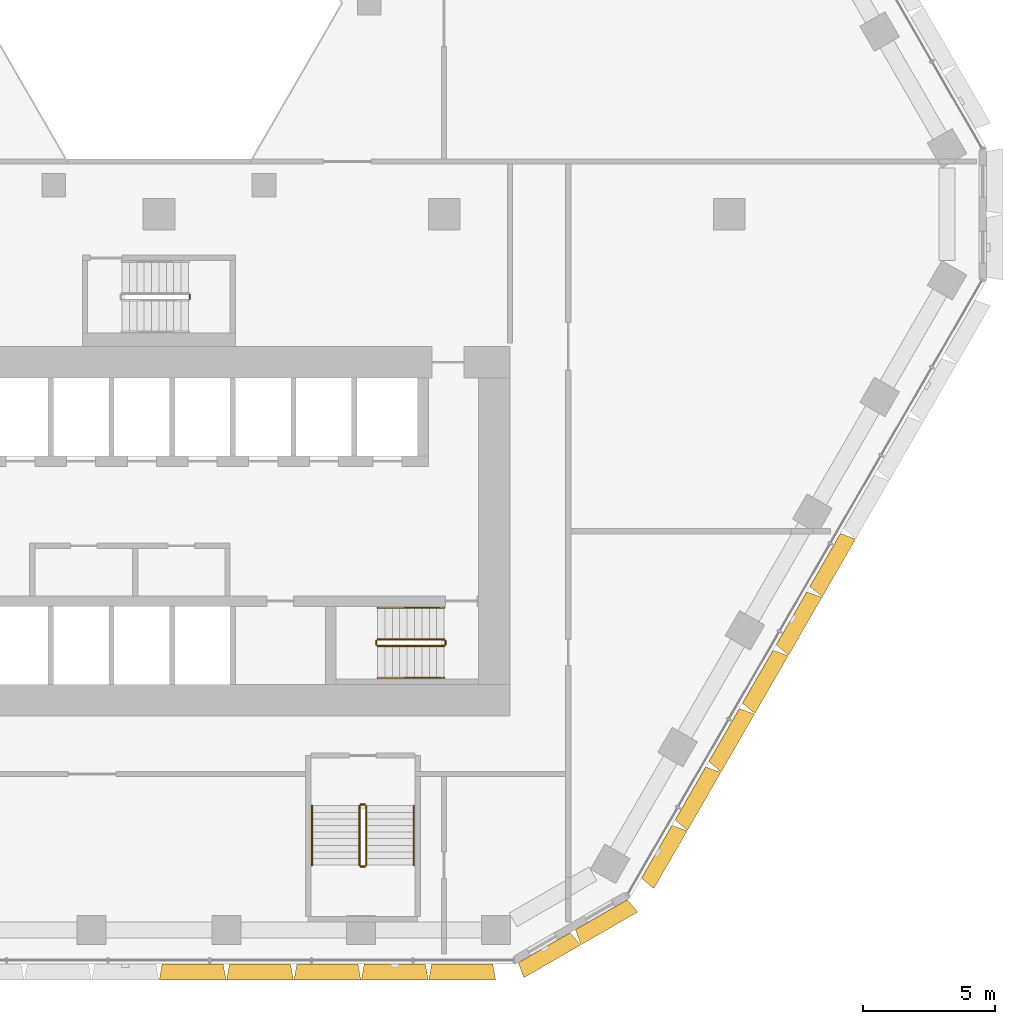
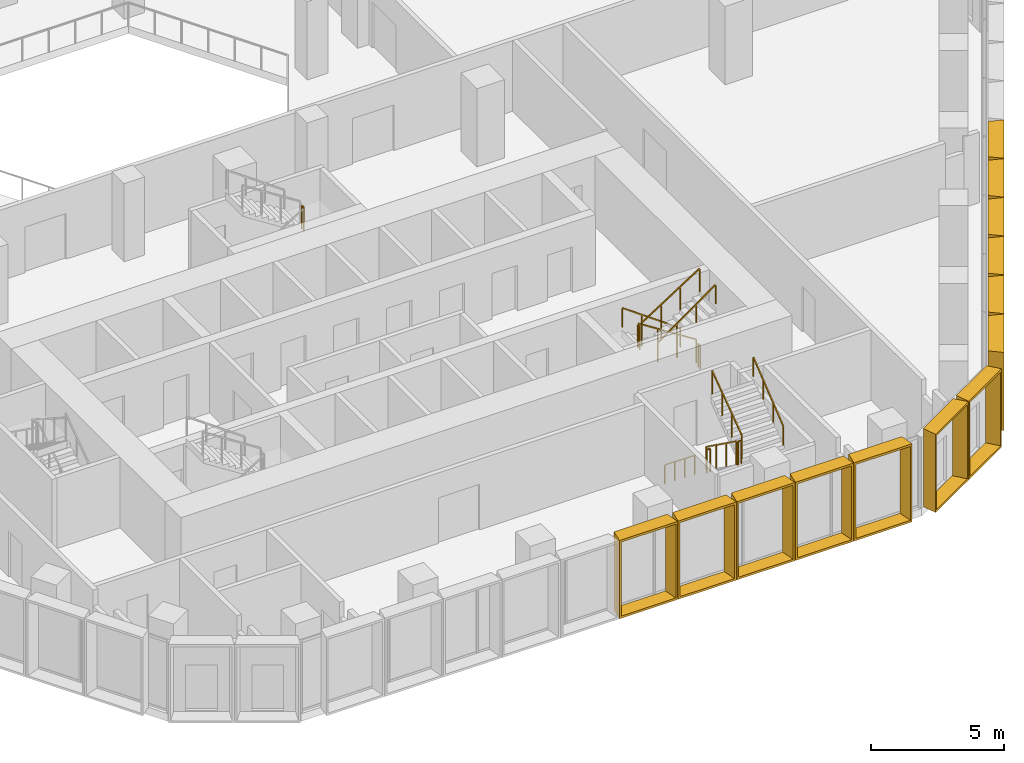
# One storey, part 24 of 25: 13 railings, 13 shading devices.
"""IFC4 building model written with IfcOpenShell, lengths in metres."""

from ifc_helpers import new_model, entity, si_unit, direction, frame, origin, origin_2d, place, context, subcontext, project, spatial, rectangle, extrude, source, transform, mapped, material, type_object, type_shapes, element, save


model = new_model("IFC4")

# Units and contexts
model_context = context("Model", 3, precision=1e-05, world=origin(), true_north=direction((0.0, 1.0)))
body_context = subcontext(model_context, "Body", "Model", "MODEL_VIEW")
ifc_project = project(units=[si_unit("LENGTHUNIT", "METRE"), si_unit("AREAUNIT", "SQUARE_METRE"), si_unit("VOLUMEUNIT", "CUBIC_METRE"), si_unit("PLANEANGLEUNIT", "RADIAN"), si_unit("MASSUNIT", "GRAM", prefix="KILO")], contexts=[model_context])

# Site, building, storey
site_placement = place(None, origin())
site = spatial("IfcSite", under=ifc_project, at=site_placement, CompositionType="ELEMENT")
building_placement = place(site_placement, origin())
building = spatial("IfcBuilding", under=site, at=building_placement, Name="Beryl Residences", CompositionType="ELEMENT")
storey_placement = place(building_placement, frame((0.0, 0.0, 16.199951171875)))
storey = spatial("IfcBuildingStorey", under=building, at=storey_placement, Name="L04", CompositionType="ELEMENT", Elevation=16.199951171875)

# Shading devices
ifc_material_1 = material(Name="Aluminium pale anodised", Category="aluminium")
shading_device_type_1 = type_object("IfcShadingDeviceType", Name="FR250-60A-H36 OUTER SKIN frame 600 mm deep, splay 10/10 deg, 2500 x 3600 mm cell", PredefinedType="USERDEFINED", material=ifc_material_1)
cartesian_point_1 = entity("IfcCartesianPoint", [-1.134033203125, 0.0])
cartesian_point_2 = entity("IfcCartesianPoint", [-1.052734375, 0.10009765625])
cartesian_point_3 = entity("IfcCartesianPoint", [-1.23974609375, 0.0])
cartesian_point_4 = entity("IfcCartesianPoint", [-1.158447265625, 0.10009765625])
shared_shape_1 = source(origin(), body_context, "Body", "SweptSolid", [
    entity("IfcExtrudedAreaSolidTapered", entity("IfcArbitraryProfileDefWithVoids", "AREA", None, entity("IfcPolyline", [cartesian_point_1, entity("IfcCartesianPoint", [1.134033203125, 0.0]), entity("IfcCartesianPoint", [1.134033203125, 3.60009765625]), entity("IfcCartesianPoint", [-1.134033203125, 3.60009765625]), cartesian_point_1]), [entity("IfcPolyline", [cartesian_point_2, entity("IfcCartesianPoint", [1.052734375, 0.10009765625]), entity("IfcCartesianPoint", [1.052734375, 3.5]), entity("IfcCartesianPoint", [-1.052734375, 3.5]), cartesian_point_2])]), entity("IfcAxis2Placement3D", entity("IfcCartesianPoint", [0.0, 0.0, 0.0]), entity("IfcDirection", [0.0, 1.0, 0.0]), entity("IfcDirection", [-1.0, 0.0, 0.0])), entity("IfcDirection", [0.0, 0.0, 1.0]), 0.60009765625, entity("IfcArbitraryProfileDefWithVoids", "AREA", None, entity("IfcPolyline", [cartesian_point_3, entity("IfcCartesianPoint", [1.23974609375, 0.0]), entity("IfcCartesianPoint", [1.23974609375, 3.60009765625]), entity("IfcCartesianPoint", [-1.23974609375, 3.60009765625]), cartesian_point_3]), [entity("IfcPolyline", [cartesian_point_4, entity("IfcCartesianPoint", [1.158447265625, 0.10009765625]), entity("IfcCartesianPoint", [1.158447265625, 3.5]), entity("IfcCartesianPoint", [-1.158447265625, 3.5]), cartesian_point_4])])),
])
type_shapes(shading_device_type_1, [shared_shape_1])
for number, where, z_axis, x_axis, name in (
    (1, (14.593017578125, -27.77490234375, 0.0), (0.0, 0.0, 1.0), (-0.866025403784, -0.5, 0.0), "FR250-60A-H36 frame L04 S-SE 1"),
    (2, (16.758056640625, -26.52490234375, 0.0), (0.0, 0.0, 1.0), (-0.866025403784, -0.5, 0.0), "FR250-60A-H36 frame L04 S-SE 2"),
):
    element("IfcShadingDevice", number, at=place(storey_placement, frame(where, z_axis=z_axis, x_axis=x_axis)), inside=storey, type_object=shading_device_type_1, Name=name, ObjectType="OUTER SKIN", PredefinedType="USERDEFINED", context=body_context, shape_type="MappedRepresentation", body=[
        mapped(shared_shape_1, transform((0.0, 0.0, 0.0))),
    ])
ifc_material_2 = material(Name="Aluminium pale anodised", Category="aluminium")
shading_device_type_2 = type_object("IfcShadingDeviceType", Name="FR255-60A-H36 OUTER SKIN frame 600 mm deep, splay 10/10 deg, 2550 x 3600 mm cell", PredefinedType="USERDEFINED", material=ifc_material_2)
cartesian_point_5 = entity("IfcCartesianPoint", [-1.158935546875, 0.0])
cartesian_point_6 = entity("IfcCartesianPoint", [-1.077880859375, 0.10009765625])
cartesian_point_7 = entity("IfcCartesianPoint", [-1.264892578125, 0.0])
cartesian_point_8 = entity("IfcCartesianPoint", [-1.18359375, 0.10009765625])
shared_shape_2 = source(origin(), body_context, "Body", "SweptSolid", [
    entity("IfcExtrudedAreaSolidTapered", entity("IfcArbitraryProfileDefWithVoids", "AREA", None, entity("IfcPolyline", [cartesian_point_5, entity("IfcCartesianPoint", [1.158935546875, 0.0]), entity("IfcCartesianPoint", [1.158935546875, 3.60009765625]), entity("IfcCartesianPoint", [-1.158935546875, 3.60009765625]), cartesian_point_5]), [entity("IfcPolyline", [cartesian_point_6, entity("IfcCartesianPoint", [1.077880859375, 0.10009765625]), entity("IfcCartesianPoint", [1.077880859375, 3.5]), entity("IfcCartesianPoint", [-1.077880859375, 3.5]), cartesian_point_6])]), entity("IfcAxis2Placement3D", entity("IfcCartesianPoint", [0.0, 0.0, 0.0]), entity("IfcDirection", [0.0, 1.0, 0.0]), entity("IfcDirection", [-1.0, 0.0, 0.0])), entity("IfcDirection", [0.0, 0.0, 1.0]), 0.60009765625, entity("IfcArbitraryProfileDefWithVoids", "AREA", None, entity("IfcPolyline", [cartesian_point_7, entity("IfcCartesianPoint", [1.264892578125, 0.0]), entity("IfcCartesianPoint", [1.264892578125, 3.60009765625]), entity("IfcCartesianPoint", [-1.264892578125, 3.60009765625]), cartesian_point_7]), [entity("IfcPolyline", [cartesian_point_8, entity("IfcCartesianPoint", [1.18359375, 0.10009765625]), entity("IfcCartesianPoint", [1.18359375, 3.5]), entity("IfcCartesianPoint", [-1.18359375, 3.5]), cartesian_point_8])])),
])
type_shapes(shading_device_type_2, [shared_shape_2])
for number, where, z_axis, x_axis, name in (
    (3, (1.277099609375, -28.39990234375, 0.0), (0.0, 0.0, 1.0), (-1.0, 0.0, 0.0), "FR255-60A-H36 frame L04 S 6"),
    (4, (3.8291015625, -28.39990234375, 0.0), (0.0, 0.0, 1.0), (-1.0, 0.0, 0.0), "FR255-60A-H36 frame L04 S 7"),
    (5, (6.381103515625, -28.39990234375, 0.0), (0.0, 0.0, 1.0), (-1.0, 0.0, 0.0), "FR255-60A-H36 frame L04 S 8"),
    (6, (8.93310546875, -28.39990234375, 0.0), (0.0, 0.0, 1.0), (-1.0, 0.0, 0.0), "FR255-60A-H36 frame L04 S 9"),
    (7, (11.485107421875, -28.39990234375, 0.0), (0.0, 0.0, 1.0), (-1.0, 0.0, 0.0), "FR255-60A-H36 frame L04 S 10"),
    (8, (18.85400390625, -24.14501953125, 0.0), (0.0, 0.0, 1.0), (-0.5, -0.866025403784, 0.0), "FR255-60A-H36 frame L04 SE 1"),
    (9, (20.1298828125, -21.93505859375, 0.0), (0.0, 0.0, 1.0), (-0.5, -0.866025403784, 0.0), "FR255-60A-H36 frame L04 SE 2"),
    (10, (21.406005859375, -19.72412109375, 0.0), (0.0, 0.0, 1.0), (-0.5, -0.866025403784, 0.0), "FR255-60A-H36 frame L04 SE 3"),
    (11, (22.681884765625, -17.513916015625, 0.0), (0.0, 0.0, 1.0), (-0.5, -0.866025403784, 0.0), "FR255-60A-H36 frame L04 SE 4"),
    (12, (23.9580078125, -15.303955078125, 0.0), (0.0, 0.0, 1.0), (-0.5, -0.866025403784, 0.0), "FR255-60A-H36 frame L04 SE 5"),
    (13, (25.23291015625, -13.093994140625, 0.0), (0.0, 0.0, 1.0), (-0.5, -0.866025403784, 0.0), "FR255-60A-H36 frame L04 SE 6"),
):
    element("IfcShadingDevice", number, at=place(storey_placement, frame(where, z_axis=z_axis, x_axis=x_axis)), inside=storey, type_object=shading_device_type_2, Name=name, ObjectType="OUTER SKIN", PredefinedType="USERDEFINED", context=body_context, shape_type="MappedRepresentation", body=[
        mapped(shared_shape_2, transform((0.0, 0.0, 0.0))),
    ])

# Railings
ifc_material_3 = material(Name="Stainless steel balustrade with glass infill", Category="steel")
railing_type_1 = type_object("IfcRailingType", Name="SG1 stair guard 1100 mm", PredefinedType="GUARDRAIL", material=ifc_material_3)
railing_1_placement = place(storey_placement, frame((7.60009765625, -22.39990234375, 0.179931640625)))
element("IfcRailing", 14, at=railing_1_placement, inside=storey, type_object=railing_type_1, Name="L04 PS-7 stair guard 1", PredefinedType="GUARDRAIL", context=body_context, shape_type="SweptSolid", body=[
    extrude(rectangle(XDim=0.048095703125, YDim=0.048095703125, at=origin_2d()), frame((0.0, 0.0, 1.076171875), z_axis=(0.0, -0.811514298965, 0.584332561625), x_axis=(1.0, 0.0, 0.0)), (0.0, 0.0, 1.0), 2.772705078125),
    extrude(rectangle(XDim=0.0419921875, YDim=0.0419921875, at=origin_2d()), origin(), (0.0, 0.0, 1.0), 1.052001953125),
    extrude(rectangle(XDim=0.0419921875, YDim=0.0419921875, at=origin_2d()), frame((0.0, -0.75, 0.5400390625)), (0.0, 0.0, 1.0), 1.052001953125),
    extrude(rectangle(XDim=0.0419921875, YDim=0.0419921875, at=origin_2d()), frame((0.0, -1.5, 1.080078125)), (0.0, 0.0, 1.0), 1.052001953125),
    extrude(rectangle(XDim=0.0419921875, YDim=0.0419921875, at=origin_2d()), frame((0.0, -2.25, 1.6201171875)), (0.0, 0.0, 1.0), 1.052001953125),
])
railing_2_placement = place(storey_placement, frame((7.64990234375, -24.699951171875, 1.800048828125)))
element("IfcRailing", 15, at=railing_2_placement, inside=storey, type_object=railing_type_1, Name="L04 PS-7 stair guard 2", PredefinedType="GUARDRAIL", context=body_context, shape_type="SweptSolid", body=[
    extrude(rectangle(XDim=0.048095703125, YDim=0.048095703125, at=origin_2d()), frame((0.0, 0.0, 1.076171875), z_axis=(1.0, 0.0, 0.0), x_axis=(0.0, 1.0, 0.0)), (0.0, 0.0, 1.0), 0.150146484375),
    extrude(rectangle(XDim=0.0419921875, YDim=0.0419921875, at=origin_2d()), origin(), (0.0, 0.0, 1.0), 1.052001953125),
    extrude(rectangle(XDim=0.0419921875, YDim=0.0419921875, at=origin_2d()), frame((0.150146484375, 0.0, 0.0)), (0.0, 0.0, 1.0), 1.052001953125),
])
railing_3_placement = place(storey_placement, frame((7.85009765625, -24.64990234375, 1.97998046875)))
element("IfcRailing", 16, at=railing_3_placement, inside=storey, type_object=railing_type_1, Name="L04 PS-7 stair guard 3", PredefinedType="GUARDRAIL", context=body_context, shape_type="SweptSolid", body=[
    extrude(rectangle(XDim=0.048095703125, YDim=0.048095703125, at=origin_2d()), frame((0.0, 0.0, 1.076171875), z_axis=(0.0, 0.811514298965, 0.584332561625), x_axis=(-1.0, 0.0, 0.0)), (0.0, 0.0, 1.0), 2.772705078125),
    extrude(rectangle(XDim=0.0419921875, YDim=0.0419921875, at=origin_2d()), origin(), (0.0, 0.0, 1.0), 1.052001953125),
    extrude(rectangle(XDim=0.0419921875, YDim=0.0419921875, at=origin_2d()), frame((0.0, 0.75, 0.5400390625)), (0.0, 0.0, 1.0), 1.052001953125),
    extrude(rectangle(XDim=0.0419921875, YDim=0.0419921875, at=origin_2d()), frame((0.0, 1.5, 1.080078125)), (0.0, 0.0, 1.0), 1.052001953125),
    extrude(rectangle(XDim=0.0419921875, YDim=0.0419921875, at=origin_2d()), frame((0.0, 2.25, 1.6201171875)), (0.0, 0.0, 1.0), 1.052001953125),
])
railing_4_placement = place(storey_placement, frame((7.64990234375, -22.35009765625, 0.0)))
element("IfcRailing", 17, at=railing_4_placement, inside=storey, type_object=railing_type_1, Name="L04 PS-7 stair guard 4", PredefinedType="GUARDRAIL", context=body_context, shape_type="SweptSolid", body=[
    extrude(rectangle(XDim=0.048095703125, YDim=0.048095703125, at=origin_2d()), frame((0.0, 0.0, 1.076171875), z_axis=(1.0, 0.0, 0.0), x_axis=(0.0, 1.0, 0.0)), (0.0, 0.0, 1.0), 0.150146484375),
    extrude(rectangle(XDim=0.0419921875, YDim=0.0419921875, at=origin_2d()), origin(), (0.0, 0.0, 1.0), 1.052001953125),
    extrude(rectangle(XDim=0.0419921875, YDim=0.0419921875, at=origin_2d()), frame((0.150146484375, 0.0, 0.0)), (0.0, 0.0, 1.0), 1.052001953125),
])
railing_5_placement = place(storey_placement, frame((10.800048828125, -16.10009765625, 0.179931640625)))
element("IfcRailing", 18, at=railing_5_placement, inside=storey, type_object=railing_type_1, Name="L04 ST-3 stair guard 1", PredefinedType="GUARDRAIL", context=body_context, shape_type="SweptSolid", body=[
    extrude(rectangle(XDim=0.048095703125, YDim=0.048095703125, at=origin_2d()), frame((0.0, 0.0, 1.076171875), z_axis=(-0.841162588446, 0.0, 0.540782303519), x_axis=(0.0, -1.0, 0.0)), (0.0, 0.0, 1.0), 2.995849609375),
    extrude(rectangle(XDim=0.0419921875, YDim=0.0419921875, at=origin_2d()), origin(), (0.0, 0.0, 1.0), 1.052001953125),
    extrude(rectangle(XDim=0.0419921875, YDim=0.0419921875, at=origin_2d()), frame((-0.840087890625, 0.0, 0.5400390625)), (0.0, 0.0, 1.0), 1.052001953125),
    extrude(rectangle(XDim=0.0419921875, YDim=0.0419921875, at=origin_2d()), frame((-1.679931640625, 0.0, 1.080078125)), (0.0, 0.0, 1.0), 1.052001953125),
    extrude(rectangle(XDim=0.0419921875, YDim=0.0419921875, at=origin_2d()), frame((-2.52001953125, 0.0, 1.6201171875)), (0.0, 0.0, 1.0), 1.052001953125),
])
railing_6_placement = place(storey_placement, frame((8.22998046875, -16.14990234375, 1.800048828125)))
element("IfcRailing", 19, at=railing_6_placement, inside=storey, type_object=railing_type_1, Name="L04 ST-3 stair guard 2", PredefinedType="GUARDRAIL", context=body_context, shape_type="SweptSolid", body=[
    extrude(rectangle(XDim=0.048095703125, YDim=0.048095703125, at=origin_2d()), frame((0.0, 0.0, 1.076171875), z_axis=(0.0, -1.0, 0.0), x_axis=(1.0, 0.0, 0.0)), (0.0, 0.0, 1.0), 0.150146484375),
    extrude(rectangle(XDim=0.0419921875, YDim=0.0419921875, at=origin_2d()), origin(), (0.0, 0.0, 1.0), 1.052001953125),
    extrude(rectangle(XDim=0.0419921875, YDim=0.0419921875, at=origin_2d()), frame((0.0, -0.150146484375, 0.0)), (0.0, 0.0, 1.0), 1.052001953125),
])
railing_7_placement = place(storey_placement, frame((8.280029296875, -16.35009765625, 1.97998046875)))
element("IfcRailing", 20, at=railing_7_placement, inside=storey, type_object=railing_type_1, Name="L04 ST-3 stair guard 3", PredefinedType="GUARDRAIL", context=body_context, shape_type="SweptSolid", body=[
    extrude(rectangle(XDim=0.048095703125, YDim=0.048095703125, at=origin_2d()), frame((0.0, 0.0, 1.076171875), z_axis=(0.841162588446, 0.0, 0.540782303519), x_axis=(0.0, 1.0, 0.0)), (0.0, 0.0, 1.0), 2.995849609375),
    extrude(rectangle(XDim=0.0419921875, YDim=0.0419921875, at=origin_2d()), origin(), (0.0, 0.0, 1.0), 1.052001953125),
    extrude(rectangle(XDim=0.0419921875, YDim=0.0419921875, at=origin_2d()), frame((0.840087890625, 0.0, 0.5400390625)), (0.0, 0.0, 1.0), 1.052001953125),
    extrude(rectangle(XDim=0.0419921875, YDim=0.0419921875, at=origin_2d()), frame((1.679931640625, 0.0, 1.080078125)), (0.0, 0.0, 1.0), 1.052001953125),
    extrude(rectangle(XDim=0.0419921875, YDim=0.0419921875, at=origin_2d()), frame((2.52001953125, 0.0, 1.6201171875)), (0.0, 0.0, 1.0), 1.052001953125),
])
railing_8_placement = place(storey_placement, frame((10.85009765625, -16.14990234375, 0.0)))
element("IfcRailing", 21, at=railing_8_placement, inside=storey, type_object=railing_type_1, Name="L04 ST-3 stair guard 4", PredefinedType="GUARDRAIL", context=body_context, shape_type="SweptSolid", body=[
    extrude(rectangle(XDim=0.048095703125, YDim=0.048095703125, at=origin_2d()), frame((0.0, 0.0, 1.076171875), z_axis=(0.0, -1.0, 0.0), x_axis=(1.0, 0.0, 0.0)), (0.0, 0.0, 1.0), 0.150146484375),
    extrude(rectangle(XDim=0.0419921875, YDim=0.0419921875, at=origin_2d()), origin(), (0.0, 0.0, 1.0), 1.052001953125),
    extrude(rectangle(XDim=0.0419921875, YDim=0.0419921875, at=origin_2d()), frame((0.0, -0.150146484375, 0.0)), (0.0, 0.0, 1.0), 1.052001953125),
])
railing_9_placement = place(storey_placement, frame((1.169921875, -3.199951171875, 1.800048828125)))
element("IfcRailing", 22, at=railing_9_placement, inside=storey, type_object=railing_type_1, Name="L04 ST-4 stair guard 2", PredefinedType="GUARDRAIL", context=body_context, shape_type="SweptSolid", body=[
    extrude(rectangle(XDim=0.048095703125, YDim=0.048095703125, at=origin_2d()), frame((0.0, 0.0, 1.076171875), z_axis=(0.0, 1.0, 0.0), x_axis=(-1.0, 0.0, 0.0)), (0.0, 0.0, 1.0), 0.14990234375),
    extrude(rectangle(XDim=0.0419921875, YDim=0.0419921875, at=origin_2d()), origin(), (0.0, 0.0, 1.0), 1.052001953125),
    extrude(rectangle(XDim=0.0419921875, YDim=0.0419921875, at=origin_2d()), frame((0.0, 0.14990234375, 0.0)), (0.0, 0.0, 1.0), 1.052001953125),
])
ifc_material_4 = material(Name="Stainless steel handrail", Category="steel")
railing_type_2 = type_object("IfcRailingType", Name="SRL1 stair handrail 900 mm", PredefinedType="HANDRAIL", material=ifc_material_4)
railing_10_placement = place(storey_placement, frame((5.800048828125, -22.39990234375, 0.179931640625)))
element("IfcRailing", 23, at=railing_10_placement, inside=storey, type_object=railing_type_2, Name="L04 PS-7 stair handrail 1", PredefinedType="HANDRAIL", context=body_context, shape_type="SweptSolid", body=[
    extrude(rectangle(XDim=0.048095703125, YDim=0.048095703125, at=origin_2d()), frame((0.0, 0.0, 0.8759765625), z_axis=(0.0, -0.780860543151, 0.624705380279), x_axis=(1.0, 0.0, 0.0)), (0.0, 0.0, 1.0), 2.88134765625),
    extrude(rectangle(XDim=0.0419921875, YDim=0.0419921875, at=origin_2d()), origin(), (0.0, 0.0, 1.0), 0.851806640625),
    extrude(rectangle(XDim=0.0419921875, YDim=0.0419921875, at=origin_2d()), frame((0.0, -0.75, 0.60009765625)), (0.0, 0.0, 1.0), 0.851806640625),
    extrude(rectangle(XDim=0.0419921875, YDim=0.0419921875, at=origin_2d()), frame((0.0, -1.5, 1.199951171875)), (0.0, 0.0, 1.0), 0.851806640625),
    extrude(rectangle(XDim=0.0419921875, YDim=0.0419921875, at=origin_2d()), frame((0.0, -2.25, 1.800048828125)), (0.0, 0.0, 1.0), 0.851806640625),
])
railing_11_placement = place(storey_placement, frame((9.64990234375, -24.64990234375, 1.97998046875)))
element("IfcRailing", 24, at=railing_11_placement, inside=storey, type_object=railing_type_2, Name="L04 PS-7 stair handrail 2", PredefinedType="HANDRAIL", context=body_context, shape_type="SweptSolid", body=[
    extrude(rectangle(XDim=0.048095703125, YDim=0.048095703125, at=origin_2d()), frame((0.0, 0.0, 0.8759765625), z_axis=(0.0, 0.780860543151, 0.624705380279), x_axis=(-1.0, 0.0, 0.0)), (0.0, 0.0, 1.0), 2.88134765625),
    extrude(rectangle(XDim=0.0419921875, YDim=0.0419921875, at=origin_2d()), origin(), (0.0, 0.0, 1.0), 0.851806640625),
    extrude(rectangle(XDim=0.0419921875, YDim=0.0419921875, at=origin_2d()), frame((0.0, 0.75, 0.60009765625)), (0.0, 0.0, 1.0), 0.851806640625),
    extrude(rectangle(XDim=0.0419921875, YDim=0.0419921875, at=origin_2d()), frame((0.0, 1.5, 1.199951171875)), (0.0, 0.0, 1.0), 0.851806640625),
    extrude(rectangle(XDim=0.0419921875, YDim=0.0419921875, at=origin_2d()), frame((0.0, 2.25, 1.800048828125)), (0.0, 0.0, 1.0), 0.851806640625),
])
railing_12_placement = place(storey_placement, frame((10.800048828125, -14.89990234375, 0.179931640625)))
element("IfcRailing", 25, at=railing_12_placement, inside=storey, type_object=railing_type_2, Name="L04 ST-3 stair handrail 1", PredefinedType="HANDRAIL", context=body_context, shape_type="SweptSolid", body=[
    extrude(rectangle(XDim=0.048095703125, YDim=0.048095703125, at=origin_2d()), frame((0.0, 0.0, 0.8759765625), z_axis=(-0.813728144527, 0.0, 0.581245650998), x_axis=(0.0, -1.0, 0.0)), (0.0, 0.0, 1.0), 3.096923828125),
    extrude(rectangle(XDim=0.0419921875, YDim=0.0419921875, at=origin_2d()), origin(), (0.0, 0.0, 1.0), 0.851806640625),
    extrude(rectangle(XDim=0.0419921875, YDim=0.0419921875, at=origin_2d()), frame((-0.840087890625, 0.0, 0.60009765625)), (0.0, 0.0, 1.0), 0.851806640625),
    extrude(rectangle(XDim=0.0419921875, YDim=0.0419921875, at=origin_2d()), frame((-1.679931640625, 0.0, 1.199951171875)), (0.0, 0.0, 1.0), 0.851806640625),
    extrude(rectangle(XDim=0.0419921875, YDim=0.0419921875, at=origin_2d()), frame((-2.52001953125, 0.0, 1.800048828125)), (0.0, 0.0, 1.0), 0.851806640625),
])
railing_13_placement = place(storey_placement, frame((8.280029296875, -17.550048828125, 1.97998046875)))
element("IfcRailing", 26, at=railing_13_placement, inside=storey, type_object=railing_type_2, Name="L04 ST-3 stair handrail 2", PredefinedType="HANDRAIL", context=body_context, shape_type="SweptSolid", body=[
    extrude(rectangle(XDim=0.048095703125, YDim=0.048095703125, at=origin_2d()), frame((0.0, 0.0, 0.8759765625), z_axis=(0.813728144527, 0.0, 0.581245650998), x_axis=(0.0, 1.0, 0.0)), (0.0, 0.0, 1.0), 3.096923828125),
    extrude(rectangle(XDim=0.0419921875, YDim=0.0419921875, at=origin_2d()), origin(), (0.0, 0.0, 1.0), 0.851806640625),
    extrude(rectangle(XDim=0.0419921875, YDim=0.0419921875, at=origin_2d()), frame((0.840087890625, 0.0, 0.60009765625)), (0.0, 0.0, 1.0), 0.851806640625),
    extrude(rectangle(XDim=0.0419921875, YDim=0.0419921875, at=origin_2d()), frame((1.679931640625, 0.0, 1.199951171875)), (0.0, 0.0, 1.0), 0.851806640625),
    extrude(rectangle(XDim=0.0419921875, YDim=0.0419921875, at=origin_2d()), frame((2.52001953125, 0.0, 1.800048828125)), (0.0, 0.0, 1.0), 0.851806640625),
])

save(model, "model.ifc")
